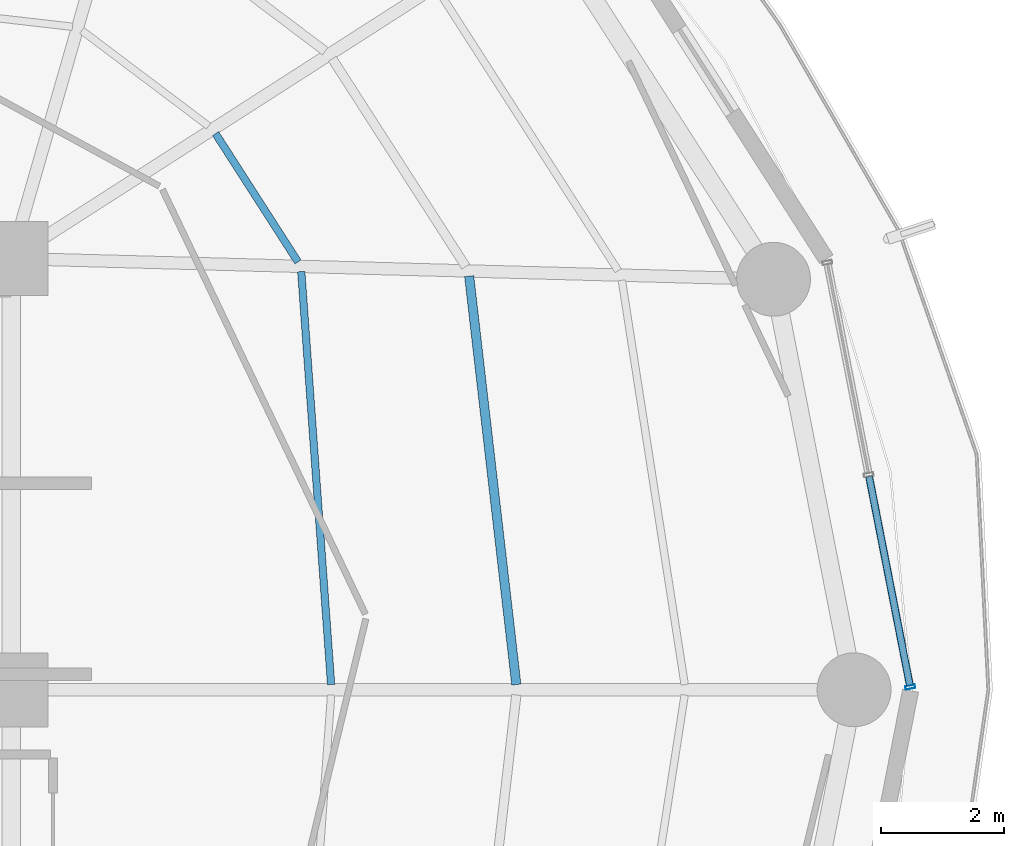
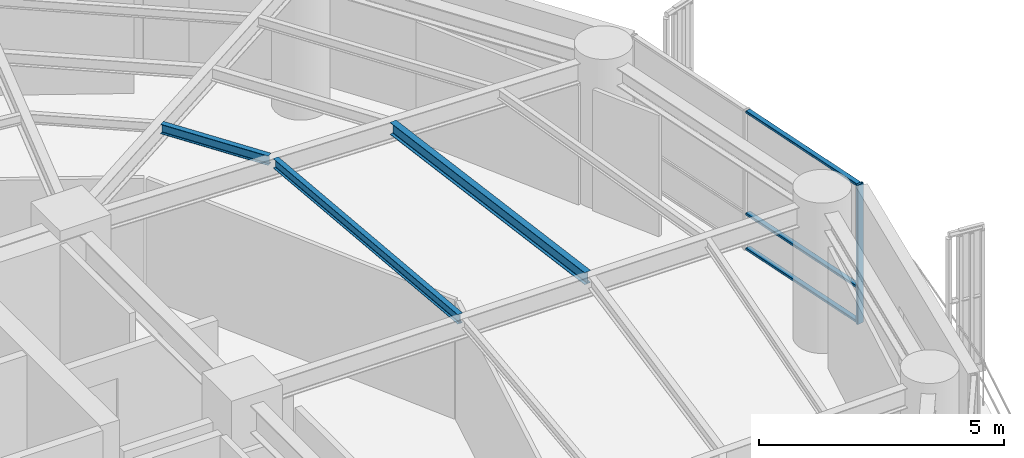
# One storey, part 13 of 28: 4 members, 3 beams, 1 element without a shape of its own.
"""IFC4 building model written with IfcOpenShell, lengths in metres."""

from ifc_helpers import new_model, si_unit, direction, frame, origin, origin_2d, place, context, subcontext, project, spatial, hollow_rectangle, i_section, extrude, material, layer, layer_set, material_profile, profile_set, type_object, element, aggregate, save


model = new_model("IFC4")

# Units and contexts
model_context = context("Model", 3, precision=1e-05, world=origin(), true_north=direction((0.0, 1.0)))
body_context = subcontext(model_context, "Body", "Model", "MODEL_VIEW")
ifc_project = project(units=[si_unit("LENGTHUNIT", "METRE"), si_unit("AREAUNIT", "SQUARE_METRE"), si_unit("VOLUMEUNIT", "CUBIC_METRE"), si_unit("PLANEANGLEUNIT", "RADIAN"), si_unit("MASSUNIT", "GRAM", prefix="KILO")], contexts=[model_context])

# Site, building, storey
site_placement = place(None, origin())
site = spatial("IfcSite", under=ifc_project, at=site_placement, CompositionType="ELEMENT")
building_placement = place(site_placement, origin())
building = spatial("IfcBuilding", under=site, at=building_placement, Name="Kelanora Arch Commons", CompositionType="ELEMENT")
storey_placement = place(building_placement, frame((0.0, 0.0, 139.35009765625)))
storey = spatial("IfcBuildingStorey", under=building, at=storey_placement, Name="L35", CompositionType="ELEMENT", Elevation=139.35009765625)

# Beams
ifc_material_1 = material(Name="Steel S355", Category="steel")
ifc_material_profile_1 = material_profile(ifc_material_1, i_section(OverallWidth=0.14990234375, OverallDepth=0.300048828125, WebThickness=0.007080078125, FlangeThickness=0.0107421875, FilletRadius=0.014892578125, at=origin_2d()), Name="IPE300")
ifc_profile_set_1 = profile_set([ifc_material_profile_1], Name="Steel S355")
beam_type_1 = type_object("IfcBeamType", Name="BM-JST-01", PredefinedType="JOIST", material=ifc_profile_set_1)
beam_1_placement = place(storey_placement, frame((90.1982421875, 58.08447265625, 3.33984375), z_axis=(-0.114667159005, 0.9934039675, 0.0), x_axis=(-0.9934039675, -0.114667159005, 0.0)))
element("IfcBeam", 1, at=beam_1_placement, inside=storey, type_object=beam_type_1, Name="Secondary Chord Joist BJB-00 L35", PredefinedType="JOIST", context=body_context, shape_type="SweptSolid", body=[
    extrude(i_section(OverallWidth=0.14990234375, OverallDepth=0.300048828125, WebThickness=0.007080078125, FlangeThickness=0.0107421875, FilletRadius=0.014892578125, at=origin_2d()), origin(), (0.0, 0.0, 1.0), 6.672607421875),
])
ifc_material_profile_2 = material_profile(ifc_material_1, i_section(OverallWidth=0.1201171875, OverallDepth=0.239990234375, WebThickness=0.006103515625, FlangeThickness=0.009765625, FilletRadius=0.014892578125, at=origin_2d()), Name="IPE240")
ifc_profile_set_2 = profile_set([ifc_material_profile_2], Name="Steel S355")
beam_type_2 = type_object("IfcBeamType", Name="BM-JST-02", PredefinedType="JOIST", material=ifc_profile_set_2)
beam_2_placement = place(storey_placement, frame((87.1923828125, 58.084716796875, 3.369873046875), z_axis=(-0.072117123738, 0.997396170267, 0.0), x_axis=(-0.997396170267, -0.072117123738, 0.0)))
element("IfcBeam", 2, at=beam_2_placement, inside=storey, type_object=beam_type_2, Name="Secondary Chord Joist BJA-00 L35", PredefinedType="JOIST", context=body_context, shape_type="SweptSolid", body=[
    extrude(i_section(OverallWidth=0.1201171875, OverallDepth=0.239990234375, WebThickness=0.006103515625, FlangeThickness=0.009765625, FilletRadius=0.014892578125, at=origin_2d()), origin(), (0.0, 0.0, 1.0), 6.719970703125),
])
beam_3_placement = place(storey_placement, frame((86.655517578125, 64.943359375, 3.369873046875), z_axis=(-0.540583174025, 0.841290575224, 0.0), x_axis=(-0.841290575224, -0.540583174025, 0.0)))
element("IfcBeam", 3, at=beam_3_placement, inside=storey, type_object=beam_type_2, Name="Secondary Chord Joist BJA-02 L35", PredefinedType="JOIST", context=body_context, shape_type="SweptSolid", body=[
    extrude(i_section(OverallWidth=0.1201171875, OverallDepth=0.239990234375, WebThickness=0.006103515625, FlangeThickness=0.009765625, FilletRadius=0.014892578125, at=origin_2d()), origin(), (0.0, 0.0, 1.0), 2.476318359375),
])

# Curtain wall, members
ifc_material_2 = material(Name="Terracotta ceramic-fritted low-E glass and aluminium", Category="masonry")
ifc_layer = layer(ifc_material_2, 0.175048828125)
ifc_layer_set = layer_set([ifc_layer], Name="Terracotta ceramic-fritted low-E glass and aluminium")
curtain_wall_type = type_object("IfcCurtainWallType", Name="CW-SYS-02", PredefinedType="NOTDEFINED", material=ifc_layer_set)
curtain_wall_placement = place(storey_placement, origin())
curtain_wall = element("IfcCurtainWall", 4, at=curtain_wall_placement, inside=storey, type_object=curtain_wall_type, Name="Unitised Curtain Wall L35-B00", PredefinedType="NOTDEFINED")
ifc_material_3 = material(Name="Powder-coated aluminium terracotta", Category="masonry")
ifc_material_profile_3 = material_profile(ifc_material_3, hollow_rectangle(XDim=0.159912109375, YDim=0.06005859375, WallThickness=0.0048828125, InnerFilletRadius=0.0048828125, OuterFilletRadius=0.010009765625, at=origin_2d()), Name="CWM160x60")
ifc_profile_set_3 = profile_set([ifc_material_profile_3], Name="Powder-coated aluminium terracotta")
member_type_1 = type_object("IfcMemberType", Name="CWM-STD", PredefinedType="MULLION", material=ifc_profile_set_3)
member_1_placement = place(storey_placement, frame((96.59130859375, 58.044189453125, 0.0), z_axis=(0.0, 0.0, 1.0), x_axis=(-0.981452557718, -0.191705182375, 0.0)))
member_1 = element("IfcMember", 5, at=member_1_placement, type_object=member_type_1, Name="CW-02 mullion 1", PredefinedType="MULLION", context=body_context, shape_type="SweptSolid", body=[
    extrude(hollow_rectangle(XDim=0.159912109375, YDim=0.06005859375, WallThickness=0.0048828125, InnerFilletRadius=0.0048828125, OuterFilletRadius=0.010009765625, at=origin_2d()), origin(), (0.0, 0.0, 1.0), 3.474853515625),
])
ifc_material_profile_4 = material_profile(ifc_material_3, hollow_rectangle(XDim=0.1201171875, YDim=0.06005859375, WallThickness=0.0048828125, InnerFilletRadius=0.0048828125, OuterFilletRadius=0.010009765625, at=origin_2d()), Name="CWT120x60")
ifc_profile_set_4 = profile_set([ifc_material_profile_4], Name="Powder-coated aluminium terracotta")
member_type_2 = type_object("IfcMemberType", Name="CWT-STD", PredefinedType="USERDEFINED", material=ifc_profile_set_4)
member_2_placement = place(storey_placement, frame((96.585693359375, 58.073486328125, 0.02978515625), z_axis=(-0.191718206447, 0.981450013662, 0.0), x_axis=(-0.981450013662, -0.191718206447, 0.0)))
member_2 = element("IfcMember", 6, at=member_2_placement, type_object=member_type_2, Name="CW-02 transom 1.1", ObjectType="TRANSOM", PredefinedType="USERDEFINED", context=body_context, shape_type="SweptSolid", body=[
    extrude(hollow_rectangle(XDim=0.1201171875, YDim=0.06005859375, WallThickness=0.0048828125, InnerFilletRadius=0.0048828125, OuterFilletRadius=0.010009765625, at=origin_2d()), origin(), (0.0, 0.0, 1.0), 3.44970703125),
])
member_3_placement = place(storey_placement, frame((96.585693359375, 58.073486328125, 0.89990234375), z_axis=(-0.191718206447, 0.981450013662, 0.0), x_axis=(-0.981450013662, -0.191718206447, 0.0)))
member_3 = element("IfcMember", 7, at=member_3_placement, type_object=member_type_2, Name="CW-02 transom 1.2", ObjectType="TRANSOM", PredefinedType="USERDEFINED", context=body_context, shape_type="SweptSolid", body=[
    extrude(hollow_rectangle(XDim=0.1201171875, YDim=0.06005859375, WallThickness=0.0048828125, InnerFilletRadius=0.0048828125, OuterFilletRadius=0.010009765625, at=origin_2d()), origin(), (0.0, 0.0, 1.0), 3.44970703125),
])
member_4_placement = place(storey_placement, frame((96.585693359375, 58.073486328125, 3.44482421875), z_axis=(-0.191718206447, 0.981450013662, 0.0), x_axis=(-0.981450013662, -0.191718206447, 0.0)))
member_4 = element("IfcMember", 8, at=member_4_placement, type_object=member_type_2, Name="CW-02 transom 1.3", ObjectType="TRANSOM", PredefinedType="USERDEFINED", context=body_context, shape_type="SweptSolid", body=[
    extrude(hollow_rectangle(XDim=0.1201171875, YDim=0.06005859375, WallThickness=0.0048828125, InnerFilletRadius=0.0048828125, OuterFilletRadius=0.010009765625, at=origin_2d()), origin(), (0.0, 0.0, 1.0), 3.44970703125),
])
aggregate(curtain_wall, [member_1, member_2, member_3, member_4])

save(model, "model.ifc")
